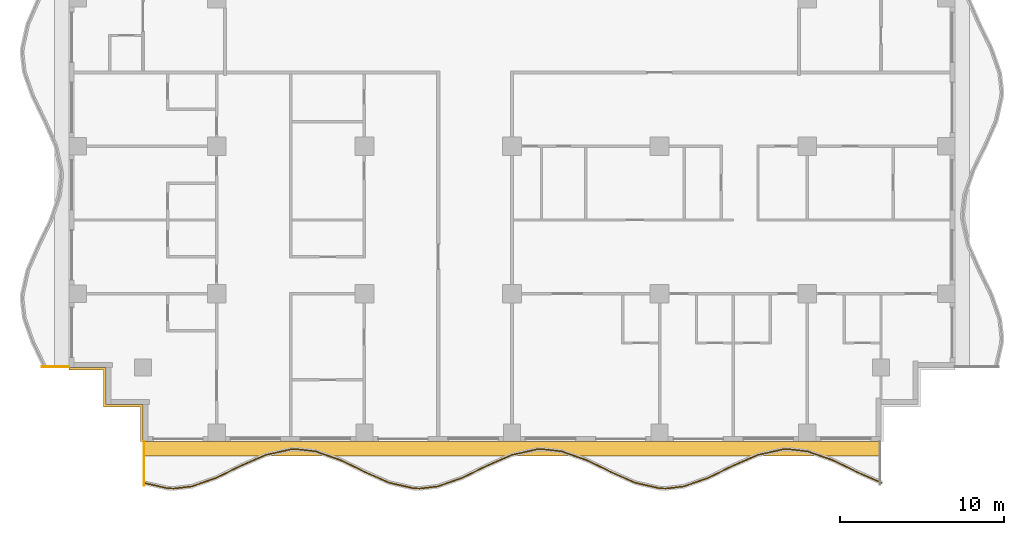
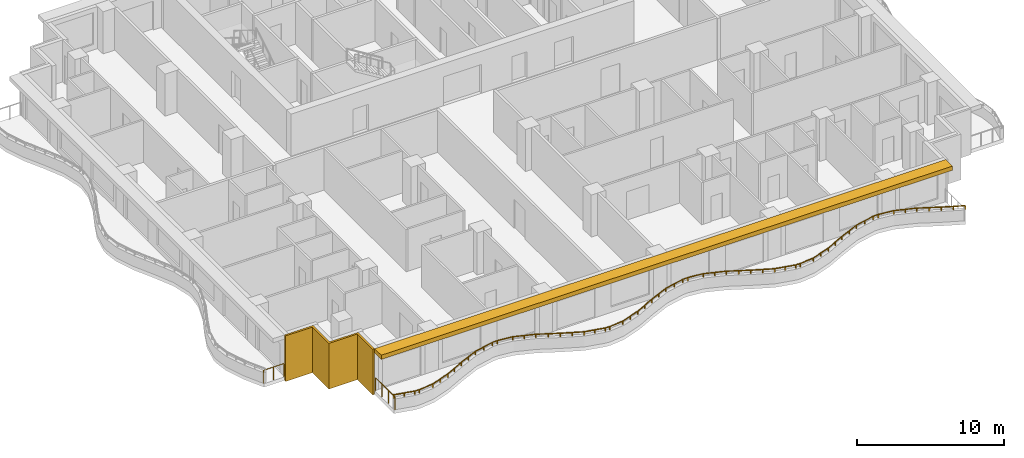
# One storey, part 8 of 11: 3 railings, 2 shading devices.
"""IFC4 building model written with IfcOpenShell, lengths in metres."""

from ifc_helpers import new_model, si_unit, direction, frame, origin, origin_2d, place, context, subcontext, project, spatial, polyline, rectangle, outline, extrude, material, layer, layer_set, type_object, element, save


model = new_model("IFC4")

# Units and contexts
model_context = context("Model", 3, precision=1e-05, world=origin(), true_north=direction((0.0, 1.0)))
body_context = subcontext(model_context, "Body", "Model", "MODEL_VIEW")
ifc_project = project(units=[si_unit("LENGTHUNIT", "METRE"), si_unit("AREAUNIT", "SQUARE_METRE"), si_unit("VOLUMEUNIT", "CUBIC_METRE"), si_unit("PLANEANGLEUNIT", "RADIAN"), si_unit("MASSUNIT", "GRAM", prefix="KILO")], contexts=[model_context])

# Site, building, storey
site_placement = place(None, origin())
site = spatial("IfcSite", under=ifc_project, at=site_placement, CompositionType="ELEMENT")
building_placement = place(site_placement, origin())
building = spatial("IfcBuilding", under=site, at=building_placement, Name="Orbiselva Terraces", CompositionType="ELEMENT")
storey_placement = place(building_placement, frame((0.0, 0.0, 184.4)))
storey = spatial("IfcBuildingStorey", under=building, at=storey_placement, Name="L46", CompositionType="ELEMENT", Elevation=184.4)

# Railings
ifc_material_1 = material(Name="Bonded two-ply safety glass balustrade, stainless steel posts", Category="steel")
railing_type_1 = type_object("IfcRailingType", Name="ENV-BALUSTRADE-1200", PredefinedType="BALUSTRADE", material=ifc_material_1)
railing_1_placement = place(storey_placement, frame((-22.472623, -25.026563, 0.9)))
element("IfcRailing", 1, at=railing_1_placement, inside=storey, type_object=railing_type_1, Name="Balcony balustrade L46 S", PredefinedType="BALUSTRADE", context=body_context, shape_type="SweptSolid", body=[
    extrude(outline(polyline([(0.028868, 0.0), (0.014434, 0.025), (-0.014434, 0.025), (-0.028868, 0.0), (-0.014434, -0.025), (0.014434, -0.025), (0.028868, 0.0)])), frame((0.0, 0.0, 0.275), z_axis=(0.975721322437, -0.21901575501, 0.0), x_axis=(0.21901575501, 0.975721322437, 0.0)), (0.0, 0.0, 1.0), 1.525954),
    extrude(outline(polyline([(0.028868, 0.0), (0.014434, 0.025), (-0.014434, 0.025), (-0.028868, 0.0), (-0.014434, -0.025), (0.014434, -0.025), (0.028868, 0.0)])), frame((1.488906, -0.334208, 0.275), z_axis=(0.999224931454, -0.039364150694, 0.0), x_axis=(0.039364150694, 0.999224931454, 0.0)), (0.0, 0.0, 1.0), 0.354206),
    extrude(outline(polyline([(0.028868, 0.0), (0.014434, 0.025), (-0.014434, 0.025), (-0.028868, 0.0), (-0.014434, -0.025), (0.014434, -0.025), (0.028868, 0.0)])), frame((1.842837, -0.348151, 0.275), z_axis=(0.993309658409, 0.115481264762, 0.0), x_axis=(-0.115481264762, 0.993309658409, 0.0)), (0.0, 0.0, 1.0), 1.10902),
    extrude(outline(polyline([(0.028868, 0.0), (0.014434, 0.025), (-0.014434, 0.025), (-0.028868, 0.0), (-0.014434, -0.025), (0.014434, -0.025), (0.028868, 0.0)])), frame((2.944437, -0.22008, 0.275), z_axis=(0.943972277814, 0.330024754707, 0.0), x_axis=(-0.330024754707, 0.943972277814, 0.0)), (0.0, 0.0, 1.0), 1.567807),
    extrude(outline(polyline([(0.028868, 0.0), (0.014434, 0.025), (-0.014434, 0.025), (-0.028868, 0.0), (-0.014434, -0.025), (0.014434, -0.025), (0.028868, 0.0)])), frame((4.424403, 0.297335, 0.275), z_axis=(0.89857890432, 0.438811978768, 0.0), x_axis=(-0.438811978768, 0.89857890432, 0.0)), (0.0, 0.0, 1.0), 1.66438),
    extrude(outline(polyline([(0.028868, 0.0), (0.014434, 0.025), (-0.014434, 0.025), (-0.028868, 0.0), (-0.014434, -0.025), (0.014434, -0.025), (0.028868, 0.0)])), frame((5.91998, 1.027685, 0.275), z_axis=(0.915133527237, 0.403150874148, 0.0), x_axis=(-0.403150874148, 0.915133527237, 0.0)), (0.0, 0.0, 1.0), 1.653736),
    extrude(outline(polyline([(0.028868, 0.0), (0.014434, 0.025), (-0.014434, 0.025), (-0.028868, 0.0), (-0.014434, -0.025), (0.014434, -0.025), (0.028868, 0.0)])), frame((7.433369, 1.69439, 0.275), z_axis=(0.97572137947, 0.219015500924, 0.0), x_axis=(-0.219015500924, 0.97572137947, 0.0)), (0.0, 0.0, 1.0), 1.560867),
    extrude(outline(polyline([(0.028868, 0.0), (0.014434, 0.025), (-0.014434, 0.025), (-0.028868, 0.0), (-0.014434, -0.025), (0.014434, -0.025), (0.028868, 0.0)])), frame((8.95634, 2.036244, 0.275), z_axis=(0.999224734286, 0.03936915532, 0.0), x_axis=(-0.03936915532, 0.999224734286, 0.0)), (0.0, 0.0, 1.0), 0.396376),
    extrude(outline(polyline([(0.028868, 0.0), (0.014434, 0.025), (-0.014434, 0.025), (-0.028868, 0.0), (-0.014434, -0.025), (0.014434, -0.025), (0.028868, 0.0)])), frame((9.352409, 2.051849, 0.275), z_axis=(0.993309551734, -0.115482182324, 0.0), x_axis=(0.115482182324, 0.993309551734, 0.0)), (0.0, 0.0, 1.0), 1.156135),
    extrude(outline(polyline([(0.028868, 0.0), (0.014434, 0.025), (-0.014434, 0.025), (-0.028868, 0.0), (-0.014434, -0.025), (0.014434, -0.025), (0.028868, 0.0)])), frame((10.500809, 1.918336, 0.275), z_axis=(0.943972332783, -0.330024597479, 0.0), x_axis=(0.330024597479, 0.943972332783, 0.0)), (0.0, 0.0, 1.0), 1.610253),
    extrude(outline(polyline([(0.028868, 0.0), (0.014434, 0.025), (-0.014434, 0.025), (-0.028868, 0.0), (-0.014434, -0.025), (0.014434, -0.025), (0.028868, 0.0)])), frame((12.020843, 1.386913, 0.275), z_axis=(0.898578870221, -0.438812048596, 0.0), x_axis=(0.438812048596, 0.898578870221, 0.0)), (0.0, 0.0, 1.0), 1.674225),
    extrude(outline(polyline([(0.028868, 0.0), (0.014434, 0.025), (-0.014434, 0.025), (-0.028868, 0.0), (-0.014434, -0.025), (0.014434, -0.025), (0.028868, 0.0)])), frame((13.525266, 0.652243, 0.275), z_axis=(0.915133363686, -0.403151245402, 0.0), x_axis=(0.403151245402, 0.915133363686, 0.0)), (0.0, 0.0, 1.0), 1.624475),
    extrude(outline(polyline([(0.028868, 0.0), (0.014434, 0.025), (-0.014434, 0.025), (-0.028868, 0.0), (-0.014434, -0.025), (0.014434, -0.025), (0.028868, 0.0)])), frame((15.011877, -0.002666, 0.275), z_axis=(0.975721325753, -0.219015740235, 0.0), x_axis=(0.219015740235, 0.975721325753, 0.0)), (0.0, 0.0, 1.0), 1.513782),
    extrude(outline(polyline([(0.028868, 0.0), (0.014434, 0.025), (-0.014434, 0.025), (-0.028868, 0.0), (-0.014434, -0.025), (0.014434, -0.025), (0.028868, 0.0)])), frame((16.488906, -0.334208, 0.275), z_axis=(0.999224931454, -0.039364150694, 0.0), x_axis=(0.039364150694, 0.999224931454, 0.0)), (0.0, 0.0, 1.0), 0.354206),
    extrude(outline(polyline([(0.028868, 0.0), (0.014434, 0.025), (-0.014434, 0.025), (-0.028868, 0.0), (-0.014434, -0.025), (0.014434, -0.025), (0.028868, 0.0)])), frame((16.842837, -0.348151, 0.275), z_axis=(0.993309658409, 0.115481264762, 0.0), x_axis=(-0.115481264762, 0.993309658409, 0.0)), (0.0, 0.0, 1.0), 1.10902),
    extrude(outline(polyline([(0.028868, 0.0), (0.014434, 0.025), (-0.014434, 0.025), (-0.028868, 0.0), (-0.014434, -0.025), (0.014434, -0.025), (0.028868, 0.0)])), frame((17.944437, -0.22008, 0.275), z_axis=(0.943972277814, 0.330024754707, 0.0), x_axis=(-0.330024754707, 0.943972277814, 0.0)), (0.0, 0.0, 1.0), 1.567807),
    extrude(outline(polyline([(0.028868, 0.0), (0.014434, 0.025), (-0.014434, 0.025), (-0.028868, 0.0), (-0.014434, -0.025), (0.014434, -0.025), (0.028868, 0.0)])), frame((19.424403, 0.297335, 0.275), z_axis=(0.89857890432, 0.438811978768, 0.0), x_axis=(-0.438811978768, 0.89857890432, 0.0)), (0.0, 0.0, 1.0), 1.66438),
    extrude(outline(polyline([(0.028868, 0.0), (0.014434, 0.025), (-0.014434, 0.025), (-0.028868, 0.0), (-0.014434, -0.025), (0.014434, -0.025), (0.028868, 0.0)])), frame((20.91998, 1.027685, 0.275), z_axis=(0.915133527237, 0.403150874148, 0.0), x_axis=(-0.403150874148, 0.915133527237, 0.0)), (0.0, 0.0, 1.0), 1.653736),
    extrude(outline(polyline([(0.028868, 0.0), (0.014434, 0.025), (-0.014434, 0.025), (-0.028868, 0.0), (-0.014434, -0.025), (0.014434, -0.025), (0.028868, 0.0)])), frame((22.433369, 1.69439, 0.275), z_axis=(0.97572137947, 0.219015500924, 0.0), x_axis=(-0.219015500924, 0.97572137947, 0.0)), (0.0, 0.0, 1.0), 1.560867),
    extrude(outline(polyline([(0.028868, 0.0), (0.014434, 0.025), (-0.014434, 0.025), (-0.028868, 0.0), (-0.014434, -0.025), (0.014434, -0.025), (0.028868, 0.0)])), frame((23.95634, 2.036244, 0.275), z_axis=(0.999224734286, 0.03936915532, 0.0), x_axis=(-0.03936915532, 0.999224734286, 0.0)), (0.0, 0.0, 1.0), 0.396376),
    extrude(outline(polyline([(0.028868, 0.0), (0.014434, 0.025), (-0.014434, 0.025), (-0.028868, 0.0), (-0.014434, -0.025), (0.014434, -0.025), (0.028868, 0.0)])), frame((24.352409, 2.051849, 0.275), z_axis=(0.993309551734, -0.115482182324, 0.0), x_axis=(0.115482182324, 0.993309551734, 0.0)), (0.0, 0.0, 1.0), 1.156135),
    extrude(outline(polyline([(0.028868, 0.0), (0.014434, 0.025), (-0.014434, 0.025), (-0.028868, 0.0), (-0.014434, -0.025), (0.014434, -0.025), (0.028868, 0.0)])), frame((25.500809, 1.918336, 0.275), z_axis=(0.943972332783, -0.330024597479, 0.0), x_axis=(0.330024597479, 0.943972332783, 0.0)), (0.0, 0.0, 1.0), 1.610253),
    extrude(outline(polyline([(0.028868, 0.0), (0.014434, 0.025), (-0.014434, 0.025), (-0.028868, 0.0), (-0.014434, -0.025), (0.014434, -0.025), (0.028868, 0.0)])), frame((27.020843, 1.386913, 0.275), z_axis=(0.898578870221, -0.438812048596, 0.0), x_axis=(0.438812048596, 0.898578870221, 0.0)), (0.0, 0.0, 1.0), 1.674225),
    extrude(outline(polyline([(0.028868, 0.0), (0.014434, 0.025), (-0.014434, 0.025), (-0.028868, 0.0), (-0.014434, -0.025), (0.014434, -0.025), (0.028868, 0.0)])), frame((28.525266, 0.652243, 0.275), z_axis=(0.915133363686, -0.403151245402, 0.0), x_axis=(0.403151245402, 0.915133363686, 0.0)), (0.0, 0.0, 1.0), 1.624475),
    extrude(outline(polyline([(0.028868, 0.0), (0.014434, 0.025), (-0.014434, 0.025), (-0.028868, 0.0), (-0.014434, -0.025), (0.014434, -0.025), (0.028868, 0.0)])), frame((30.011877, -0.002666, 0.275), z_axis=(0.975721325753, -0.219015740235, 0.0), x_axis=(0.219015740235, 0.975721325753, 0.0)), (0.0, 0.0, 1.0), 1.513782),
    extrude(outline(polyline([(0.028868, 0.0), (0.014434, 0.025), (-0.014434, 0.025), (-0.028868, 0.0), (-0.014434, -0.025), (0.014434, -0.025), (0.028868, 0.0)])), frame((31.488906, -0.334208, 0.275), z_axis=(0.999224931454, -0.039364150694, 0.0), x_axis=(0.039364150694, 0.999224931454, 0.0)), (0.0, 0.0, 1.0), 0.354206),
    extrude(outline(polyline([(0.028868, 0.0), (0.014434, 0.025), (-0.014434, 0.025), (-0.028868, 0.0), (-0.014434, -0.025), (0.014434, -0.025), (0.028868, 0.0)])), frame((31.842837, -0.348151, 0.275), z_axis=(0.993309658409, 0.115481264762, 0.0), x_axis=(-0.115481264762, 0.993309658409, 0.0)), (0.0, 0.0, 1.0), 1.10902),
    extrude(outline(polyline([(0.028868, 0.0), (0.014434, 0.025), (-0.014434, 0.025), (-0.028868, 0.0), (-0.014434, -0.025), (0.014434, -0.025), (0.028868, 0.0)])), frame((32.944437, -0.22008, 0.275), z_axis=(0.943972277814, 0.330024754707, 0.0), x_axis=(-0.330024754707, 0.943972277814, 0.0)), (0.0, 0.0, 1.0), 1.567807),
    extrude(outline(polyline([(0.028868, 0.0), (0.014434, 0.025), (-0.014434, 0.025), (-0.028868, 0.0), (-0.014434, -0.025), (0.014434, -0.025), (0.028868, 0.0)])), frame((34.424403, 0.297335, 0.275), z_axis=(0.89857890432, 0.438811978768, 0.0), x_axis=(-0.438811978768, 0.89857890432, 0.0)), (0.0, 0.0, 1.0), 1.66438),
    extrude(outline(polyline([(0.028868, 0.0), (0.014434, 0.025), (-0.014434, 0.025), (-0.028868, 0.0), (-0.014434, -0.025), (0.014434, -0.025), (0.028868, 0.0)])), frame((35.91998, 1.027685, 0.275), z_axis=(0.915133527237, 0.403150874148, 0.0), x_axis=(-0.403150874148, 0.915133527237, 0.0)), (0.0, 0.0, 1.0), 1.653736),
    extrude(outline(polyline([(0.028868, 0.0), (0.014434, 0.025), (-0.014434, 0.025), (-0.028868, 0.0), (-0.014434, -0.025), (0.014434, -0.025), (0.028868, 0.0)])), frame((37.433369, 1.69439, 0.275), z_axis=(0.97572137947, 0.219015500924, 0.0), x_axis=(-0.219015500924, 0.97572137947, 0.0)), (0.0, 0.0, 1.0), 1.560867),
    extrude(outline(polyline([(0.028868, 0.0), (0.014434, 0.025), (-0.014434, 0.025), (-0.028868, 0.0), (-0.014434, -0.025), (0.014434, -0.025), (0.028868, 0.0)])), frame((38.95634, 2.036244, 0.275), z_axis=(0.999224734286, 0.03936915532, 0.0), x_axis=(-0.03936915532, 0.999224734286, 0.0)), (0.0, 0.0, 1.0), 0.396376),
    extrude(outline(polyline([(0.028868, 0.0), (0.014434, 0.025), (-0.014434, 0.025), (-0.028868, 0.0), (-0.014434, -0.025), (0.014434, -0.025), (0.028868, 0.0)])), frame((39.352409, 2.051849, 0.275), z_axis=(0.993309551734, -0.115482182324, 0.0), x_axis=(0.115482182324, 0.993309551734, 0.0)), (0.0, 0.0, 1.0), 1.156135),
    extrude(outline(polyline([(0.028868, 0.0), (0.014434, 0.025), (-0.014434, 0.025), (-0.028868, 0.0), (-0.014434, -0.025), (0.014434, -0.025), (0.028868, 0.0)])), frame((40.500809, 1.918336, 0.275), z_axis=(0.943972332783, -0.330024597479, 0.0), x_axis=(0.330024597479, 0.943972332783, 0.0)), (0.0, 0.0, 1.0), 1.610253),
    extrude(outline(polyline([(0.028868, 0.0), (0.014434, 0.025), (-0.014434, 0.025), (-0.028868, 0.0), (-0.014434, -0.025), (0.014434, -0.025), (0.028868, 0.0)])), frame((42.020843, 1.386913, 0.275), z_axis=(0.898578870221, -0.438812048596, 0.0), x_axis=(0.438812048596, 0.898578870221, 0.0)), (0.0, 0.0, 1.0), 1.674225),
    extrude(outline(polyline([(0.028868, 0.0), (0.014434, 0.025), (-0.014434, 0.025), (-0.028868, 0.0), (-0.014434, -0.025), (0.014434, -0.025), (0.028868, 0.0)])), frame((43.525266, 0.652243, 0.275), z_axis=(0.915133498047, -0.403150940408, 0.0), x_axis=(0.403150940408, 0.915133498047, 0.0)), (0.0, 0.0, 1.0), 1.636648),
    extrude(rectangle(XDim=0.05, YDim=0.05, at=origin_2d()), origin(), (0.0, 0.0, 1.0), 0.25),
    extrude(rectangle(XDim=0.05, YDim=0.05, at=origin_2d()), frame((0.744453, -0.167104, 0.0)), (0.0, 0.0, 1.0), 0.25),
    extrude(rectangle(XDim=0.05, YDim=0.05, at=origin_2d()), frame((1.488906, -0.334208, 0.0)), (0.0, 0.0, 1.0), 0.25),
    extrude(rectangle(XDim=0.05, YDim=0.05, at=origin_2d()), frame((1.842837, -0.348151, 0.0)), (0.0, 0.0, 1.0), 0.25),
    extrude(rectangle(XDim=0.05, YDim=0.05, at=origin_2d()), frame((2.944437, -0.22008, 0.0)), (0.0, 0.0, 1.0), 0.25),
    extrude(rectangle(XDim=0.05, YDim=0.05, at=origin_2d()), frame((3.68442, 0.038628, 0.0)), (0.0, 0.0, 1.0), 0.25),
    extrude(rectangle(XDim=0.05, YDim=0.05, at=origin_2d()), frame((4.424403, 0.297335, 0.0)), (0.0, 0.0, 1.0), 0.25),
    extrude(rectangle(XDim=0.05, YDim=0.05, at=origin_2d()), frame((5.172191, 0.66251, 0.0)), (0.0, 0.0, 1.0), 0.25),
    extrude(rectangle(XDim=0.05, YDim=0.05, at=origin_2d()), frame((5.91998, 1.027685, 0.0)), (0.0, 0.0, 1.0), 0.25),
    extrude(rectangle(XDim=0.05, YDim=0.05, at=origin_2d()), frame((6.676674, 1.361037, 0.0)), (0.0, 0.0, 1.0), 0.25),
    extrude(rectangle(XDim=0.05, YDim=0.05, at=origin_2d()), frame((7.433369, 1.69439, 0.0)), (0.0, 0.0, 1.0), 0.25),
    extrude(rectangle(XDim=0.05, YDim=0.05, at=origin_2d()), frame((8.194854, 1.865317, 0.0)), (0.0, 0.0, 1.0), 0.25),
    extrude(rectangle(XDim=0.05, YDim=0.05, at=origin_2d()), frame((8.95634, 2.036244, 0.0)), (0.0, 0.0, 1.0), 0.25),
    extrude(rectangle(XDim=0.05, YDim=0.05, at=origin_2d()), frame((9.352409, 2.051849, 0.0)), (0.0, 0.0, 1.0), 0.25),
    extrude(rectangle(XDim=0.05, YDim=0.05, at=origin_2d()), frame((10.500809, 1.918336, 0.0)), (0.0, 0.0, 1.0), 0.25),
    extrude(rectangle(XDim=0.05, YDim=0.05, at=origin_2d()), frame((11.260826, 1.652624, 0.0)), (0.0, 0.0, 1.0), 0.25),
    extrude(rectangle(XDim=0.05, YDim=0.05, at=origin_2d()), frame((12.020843, 1.386913, 0.0)), (0.0, 0.0, 1.0), 0.25),
    extrude(rectangle(XDim=0.05, YDim=0.05, at=origin_2d()), frame((12.773054, 1.019578, 0.0)), (0.0, 0.0, 1.0), 0.25),
    extrude(rectangle(XDim=0.05, YDim=0.05, at=origin_2d()), frame((13.525266, 0.652243, 0.0)), (0.0, 0.0, 1.0), 0.25),
    extrude(rectangle(XDim=0.05, YDim=0.05, at=origin_2d()), frame((14.268571, 0.324788, 0.0)), (0.0, 0.0, 1.0), 0.25),
    extrude(rectangle(XDim=0.05, YDim=0.05, at=origin_2d()), frame((15.011877, -0.002666, 0.0)), (0.0, 0.0, 1.0), 0.25),
    extrude(rectangle(XDim=0.05, YDim=0.05, at=origin_2d()), frame((15.750392, -0.168437, 0.0)), (0.0, 0.0, 1.0), 0.25),
    extrude(rectangle(XDim=0.05, YDim=0.05, at=origin_2d()), frame((16.488906, -0.334208, 0.0)), (0.0, 0.0, 1.0), 0.25),
    extrude(rectangle(XDim=0.05, YDim=0.05, at=origin_2d()), frame((16.842837, -0.348151, 0.0)), (0.0, 0.0, 1.0), 0.25),
    extrude(rectangle(XDim=0.05, YDim=0.05, at=origin_2d()), frame((17.944437, -0.22008, 0.0)), (0.0, 0.0, 1.0), 0.25),
    extrude(rectangle(XDim=0.05, YDim=0.05, at=origin_2d()), frame((18.68442, 0.038628, 0.0)), (0.0, 0.0, 1.0), 0.25),
    extrude(rectangle(XDim=0.05, YDim=0.05, at=origin_2d()), frame((19.424403, 0.297335, 0.0)), (0.0, 0.0, 1.0), 0.25),
    extrude(rectangle(XDim=0.05, YDim=0.05, at=origin_2d()), frame((20.172191, 0.66251, 0.0)), (0.0, 0.0, 1.0), 0.25),
    extrude(rectangle(XDim=0.05, YDim=0.05, at=origin_2d()), frame((20.91998, 1.027685, 0.0)), (0.0, 0.0, 1.0), 0.25),
    extrude(rectangle(XDim=0.05, YDim=0.05, at=origin_2d()), frame((21.676674, 1.361037, 0.0)), (0.0, 0.0, 1.0), 0.25),
    extrude(rectangle(XDim=0.05, YDim=0.05, at=origin_2d()), frame((22.433369, 1.69439, 0.0)), (0.0, 0.0, 1.0), 0.25),
    extrude(rectangle(XDim=0.05, YDim=0.05, at=origin_2d()), frame((23.194854, 1.865317, 0.0)), (0.0, 0.0, 1.0), 0.25),
    extrude(rectangle(XDim=0.05, YDim=0.05, at=origin_2d()), frame((23.95634, 2.036244, 0.0)), (0.0, 0.0, 1.0), 0.25),
    extrude(rectangle(XDim=0.05, YDim=0.05, at=origin_2d()), frame((24.352409, 2.051849, 0.0)), (0.0, 0.0, 1.0), 0.25),
    extrude(rectangle(XDim=0.05, YDim=0.05, at=origin_2d()), frame((25.500809, 1.918336, 0.0)), (0.0, 0.0, 1.0), 0.25),
    extrude(rectangle(XDim=0.05, YDim=0.05, at=origin_2d()), frame((26.260826, 1.652624, 0.0)), (0.0, 0.0, 1.0), 0.25),
    extrude(rectangle(XDim=0.05, YDim=0.05, at=origin_2d()), frame((27.020843, 1.386913, 0.0)), (0.0, 0.0, 1.0), 0.25),
    extrude(rectangle(XDim=0.05, YDim=0.05, at=origin_2d()), frame((27.773054, 1.019578, 0.0)), (0.0, 0.0, 1.0), 0.25),
    extrude(rectangle(XDim=0.05, YDim=0.05, at=origin_2d()), frame((28.525266, 0.652243, 0.0)), (0.0, 0.0, 1.0), 0.25),
    extrude(rectangle(XDim=0.05, YDim=0.05, at=origin_2d()), frame((29.268572, 0.324788, 0.0)), (0.0, 0.0, 1.0), 0.25),
    extrude(rectangle(XDim=0.05, YDim=0.05, at=origin_2d()), frame((30.011877, -0.002666, 0.0)), (0.0, 0.0, 1.0), 0.25),
    extrude(rectangle(XDim=0.05, YDim=0.05, at=origin_2d()), frame((30.750392, -0.168437, 0.0)), (0.0, 0.0, 1.0), 0.25),
    extrude(rectangle(XDim=0.05, YDim=0.05, at=origin_2d()), frame((31.488906, -0.334208, 0.0)), (0.0, 0.0, 1.0), 0.25),
    extrude(rectangle(XDim=0.05, YDim=0.05, at=origin_2d()), frame((31.842837, -0.348151, 0.0)), (0.0, 0.0, 1.0), 0.25),
    extrude(rectangle(XDim=0.05, YDim=0.05, at=origin_2d()), frame((32.944437, -0.22008, 0.0)), (0.0, 0.0, 1.0), 0.25),
    extrude(rectangle(XDim=0.05, YDim=0.05, at=origin_2d()), frame((33.68442, 0.038628, 0.0)), (0.0, 0.0, 1.0), 0.25),
    extrude(rectangle(XDim=0.05, YDim=0.05, at=origin_2d()), frame((34.424403, 0.297335, 0.0)), (0.0, 0.0, 1.0), 0.25),
    extrude(rectangle(XDim=0.05, YDim=0.05, at=origin_2d()), frame((35.172192, 0.66251, 0.0)), (0.0, 0.0, 1.0), 0.25),
    extrude(rectangle(XDim=0.05, YDim=0.05, at=origin_2d()), frame((35.91998, 1.027685, 0.0)), (0.0, 0.0, 1.0), 0.25),
    extrude(rectangle(XDim=0.05, YDim=0.05, at=origin_2d()), frame((36.676674, 1.361037, 0.0)), (0.0, 0.0, 1.0), 0.25),
    extrude(rectangle(XDim=0.05, YDim=0.05, at=origin_2d()), frame((37.433369, 1.69439, 0.0)), (0.0, 0.0, 1.0), 0.25),
    extrude(rectangle(XDim=0.05, YDim=0.05, at=origin_2d()), frame((38.194854, 1.865317, 0.0)), (0.0, 0.0, 1.0), 0.25),
    extrude(rectangle(XDim=0.05, YDim=0.05, at=origin_2d()), frame((38.95634, 2.036244, 0.0)), (0.0, 0.0, 1.0), 0.25),
    extrude(rectangle(XDim=0.05, YDim=0.05, at=origin_2d()), frame((39.352409, 2.051849, 0.0)), (0.0, 0.0, 1.0), 0.25),
    extrude(rectangle(XDim=0.05, YDim=0.05, at=origin_2d()), frame((40.500809, 1.918336, 0.0)), (0.0, 0.0, 1.0), 0.25),
    extrude(rectangle(XDim=0.05, YDim=0.05, at=origin_2d()), frame((41.260826, 1.652624, 0.0)), (0.0, 0.0, 1.0), 0.25),
    extrude(rectangle(XDim=0.05, YDim=0.05, at=origin_2d()), frame((42.020843, 1.386913, 0.0)), (0.0, 0.0, 1.0), 0.25),
    extrude(rectangle(XDim=0.05, YDim=0.05, at=origin_2d()), frame((42.773054, 1.019578, 0.0)), (0.0, 0.0, 1.0), 0.25),
    extrude(rectangle(XDim=0.05, YDim=0.05, at=origin_2d()), frame((43.525266, 0.652243, 0.0)), (0.0, 0.0, 1.0), 0.25),
    extrude(rectangle(XDim=0.05, YDim=0.05, at=origin_2d()), frame((44.274142, 0.322335, 0.0)), (0.0, 0.0, 1.0), 0.25),
    extrude(rectangle(XDim=0.05, YDim=0.05, at=origin_2d()), frame((45.023017, -0.007573, 0.0)), (0.0, 0.0, 1.0), 0.25),
])
ifc_material_2 = material(Name="Stainless steel rail and posts", Category="steel")
railing_type_2 = type_object("IfcRailingType", Name="ENV-GUARD-1105", PredefinedType="BALUSTRADE", material=ifc_material_2)
railing_2_placement = place(storey_placement, frame((-22.44, -25.169584, 0.0)))
element("IfcRailing", 2, at=railing_2_placement, inside=storey, type_object=railing_type_2, Name="Balcony end guard L46 S", PredefinedType="BALUSTRADE", context=body_context, shape_type="SweptSolid", body=[
    extrude(outline(polyline([(0.028868, 0.0), (0.014434, 0.025), (-0.014434, 0.025), (-0.028868, 0.0), (-0.014434, -0.025), (0.014434, -0.025), (0.028868, 0.0)])), frame((0.0, 0.0, 1.08), z_axis=(0.0, 1.0, 0.0), x_axis=(-1.0, 0.0, 0.0)), (0.0, 0.0, 1.0), 2.644584),
    extrude(rectangle(XDim=0.05, YDim=0.05, at=origin_2d()), origin(), (0.0, 0.0, 1.0), 1.055),
    extrude(rectangle(XDim=0.05, YDim=0.05, at=origin_2d()), frame((0.0, 0.881528, 0.0)), (0.0, 0.0, 1.0), 1.055),
    extrude(rectangle(XDim=0.05, YDim=0.05, at=origin_2d()), frame((0.0, 1.763056, 0.0)), (0.0, 0.0, 1.0), 1.055),
    extrude(rectangle(XDim=0.05, YDim=0.05, at=origin_2d()), frame((0.0, 2.644584, 0.0)), (0.0, 0.0, 1.0), 1.055),
])
railing_3_placement = place(storey_placement, frame((-28.642123, -17.94, 0.0)))
element("IfcRailing", 3, at=railing_3_placement, inside=storey, type_object=railing_type_2, Name="Balcony end guard L46 W", PredefinedType="BALUSTRADE", context=body_context, shape_type="SweptSolid", body=[
    extrude(outline(polyline([(0.028868, 0.0), (0.014434, 0.025), (-0.014434, 0.025), (-0.028868, 0.0), (-0.014434, -0.025), (0.014434, -0.025), (0.028868, 0.0)])), frame((0.0, 0.0, 1.08), z_axis=(1.0, 0.0, 0.0), x_axis=(0.0, 1.0, 0.0)), (0.0, 0.0, 1.0), 1.617123),
    extrude(rectangle(XDim=0.05, YDim=0.05, at=origin_2d()), origin(), (0.0, 0.0, 1.0), 1.055),
    extrude(rectangle(XDim=0.05, YDim=0.05, at=origin_2d()), frame((0.808562, 0.0, 0.0)), (0.0, 0.0, 1.0), 1.055),
    extrude(rectangle(XDim=0.05, YDim=0.05, at=origin_2d()), frame((1.617123, 0.0, 0.0)), (0.0, 0.0, 1.0), 1.055),
])

# Shading devices
ifc_material_3 = material(Name="Terracotta louvre screen", Category="masonry")
ifc_layer_1 = layer(ifc_material_3, 0.15)
ifc_layer_set_1 = layer_set([ifc_layer_1], Name="Terracotta louvre screen")
shading_device_type_1 = type_object("IfcShadingDeviceType", Name="ENV-SCREEN-150", PredefinedType="USERDEFINED", material=ifc_layer_set_1)
shading_device_1_placement = place(storey_placement, frame((0.0, 0.0, -0.3)))
element("IfcShadingDevice", 4, at=shading_device_1_placement, inside=storey, type_object=shading_device_type_1, Name="Louvre screen L46 SW", ObjectType="SCREEN", PredefinedType="USERDEFINED", context=body_context, shape_type="SweptSolid", body=[
    extrude(outline(polyline([(-27.0, -18.15), (-24.9, -18.15), (-24.9, -20.4), (-22.65, -20.4), (-22.65, -22.5), (-22.5, -22.5), (-22.5, -20.25), (-24.75, -20.25), (-24.75, -18.0), (-27.0, -18.0), (-27.0, -18.15)])), origin(), (0.0, 0.0, 1.0), 3.8),
])
ifc_material_4 = material(Name="Terracotta baguette sunshade", Category="masonry")
ifc_layer_2 = layer(ifc_material_4, 0.35)
ifc_layer_set_2 = layer_set([ifc_layer_2], Name="Terracotta baguette sunshade")
shading_device_type_2 = type_object("IfcShadingDeviceType", Name="ENV-SUNSHADE-900x350", PredefinedType="USERDEFINED", material=ifc_layer_set_2)
shading_device_2_placement = place(storey_placement, frame((0.0, 0.0, 3.15)))
element("IfcShadingDevice", 5, at=shading_device_2_placement, inside=storey, type_object=shading_device_type_2, Name="Sunshade band L46 S", ObjectType="SUNSHADE", PredefinedType="USERDEFINED", context=body_context, shape_type="SweptSolid", body=[
    extrude(outline(polyline([(-22.5, -23.4), (22.5, -23.4), (22.5, -22.5), (-22.5, -22.5), (-22.5, -23.4)])), origin(), (0.0, 0.0, 1.0), 0.35),
])

save(model, "model.ifc")
